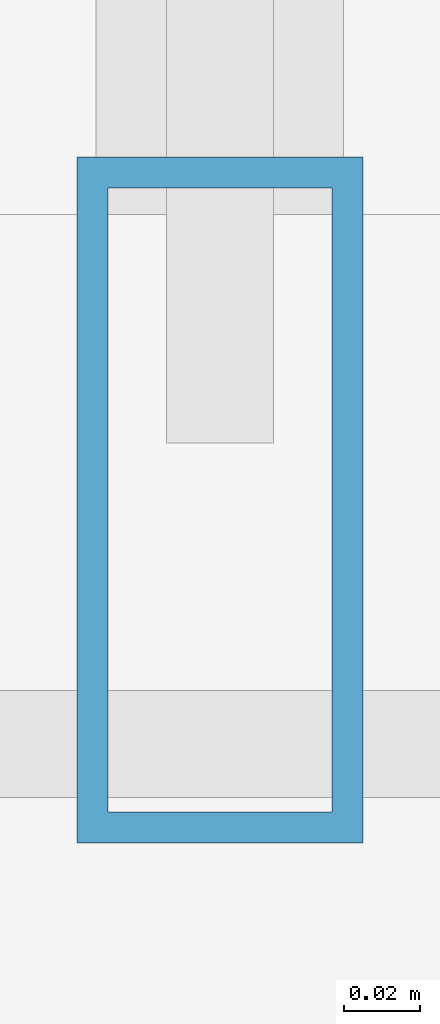
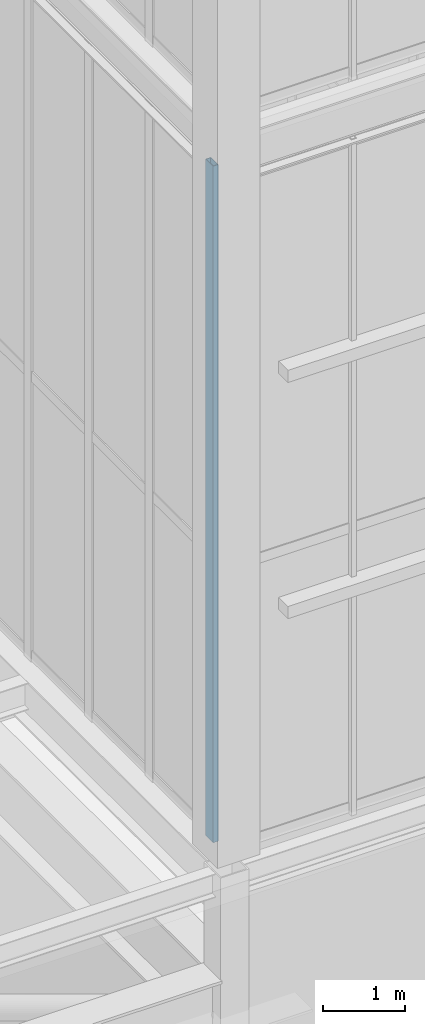
# One storey, part 28 of 135: 1 member, 1 element without a shape of its own.
"""IFC4 building model written with IfcOpenShell, lengths in metres."""

from ifc_helpers import new_model, si_unit, direction, frame, origin, origin_2d, place, context, subcontext, project, spatial, hollow_rectangle, extrude, source, transform, mapped, material, layer, layer_set, material_profile, profile_set, type_object, element, aggregate, save


model = new_model("IFC4")

# Units and contexts
model_context = context("Model", 3, precision=1e-05, world=origin(), true_north=direction((0.0, 1.0)))
body_context = subcontext(model_context, "Body", "Model", "MODEL_VIEW")
ifc_project = project(units=[si_unit("LENGTHUNIT", "METRE"), si_unit("AREAUNIT", "SQUARE_METRE"), si_unit("VOLUMEUNIT", "CUBIC_METRE"), si_unit("PLANEANGLEUNIT", "RADIAN"), si_unit("MASSUNIT", "GRAM", prefix="KILO")], contexts=[model_context])

# Site, building, storey
site_placement = place(None, origin())
site = spatial("IfcSite", under=ifc_project, at=site_placement, CompositionType="ELEMENT")
building_placement = place(site_placement, origin())
building = spatial("IfcBuilding", under=site, at=building_placement, Name="Giltprow Tower", CompositionType="ELEMENT")
storey_placement = place(building_placement, frame((0.0, 0.0, 352.699951171875)))
storey = spatial("IfcBuildingStorey", under=building, at=storey_placement, Name="L92", CompositionType="ELEMENT", Elevation=352.699951171875)

# Curtain wall, member
ifc_material = material(Name="Anodized bronze", Category="metal")
ifc_layer = layer(ifc_material, 0.179931640625, Name="Anodized bronze")
ifc_layer_set = layer_set([ifc_layer], Name="Anodized bronze")
curtain_wall_type = type_object("IfcCurtainWallType", Name="CW-CROWN-LANTERN", PredefinedType="NOTDEFINED", material=ifc_layer_set)
curtain_wall_placement = place(storey_placement, origin())
curtain_wall = element("IfcCurtainWall", 1, at=curtain_wall_placement, inside=storey, type_object=curtain_wall_type, Name="Crown East Lower Lantern Glazing 6", PredefinedType="NOTDEFINED")
ifc_material_profile = material_profile(ifc_material, hollow_rectangle(XDim=0.074951171875, YDim=0.179931640625, WallThickness=0.008056640625, at=origin_2d()), Name="RHS 180x75x8")
ifc_profile_set = profile_set([ifc_material_profile], Name="Anodized bronze")
member_type = type_object("IfcMemberType", Name="CW-MULLION-180x75", PredefinedType="MULLION", material=ifc_profile_set)
shared_shape = source(origin(), body_context, "Body", "SweptSolid", [
    extrude(hollow_rectangle(XDim=0.074951171875, YDim=0.179931640625, WallThickness=0.008056640625, at=origin_2d()), origin(), (0.0, 0.0, 1.0), 10.030029296875),
])
member_placement = place(storey_placement, frame((44.300048828125, 23.85009765625, 6.35009765625), z_axis=(0.0, 0.0, 1.0), x_axis=(1.0, 0.0, 0.0)))
member = element("IfcMember", 2, at=member_placement, type_object=member_type, Name="Crown East Lower Lantern Glazing 6 Mullion 10", PredefinedType="MULLION", context=body_context, shape_type="MappedRepresentation", body=[
    mapped(shared_shape, transform((0.0, 0.0, 0.0), x_axis=(1.0, 0.0, 0.0), y_axis=(0.0, 1.0, 0.0), z_axis=(0.0, 0.0, 1.0), scale=1.0)),
])
aggregate(curtain_wall, [member])

save(model, "model.ifc")
